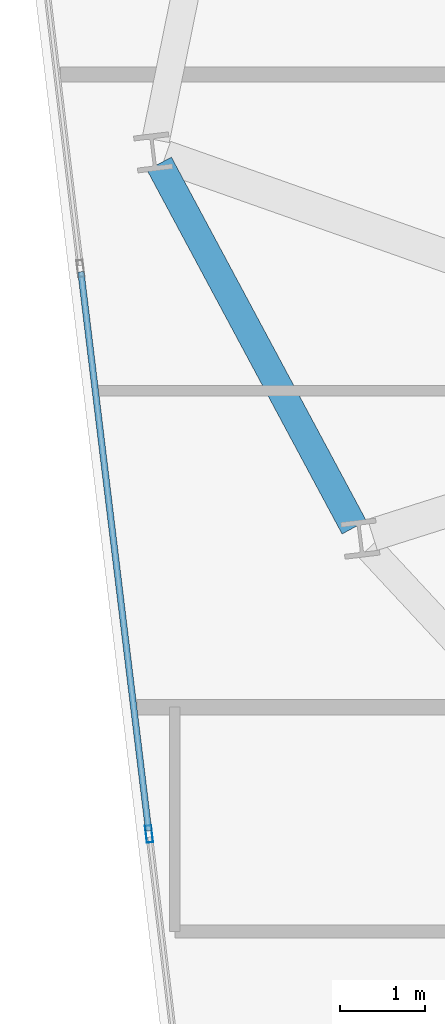
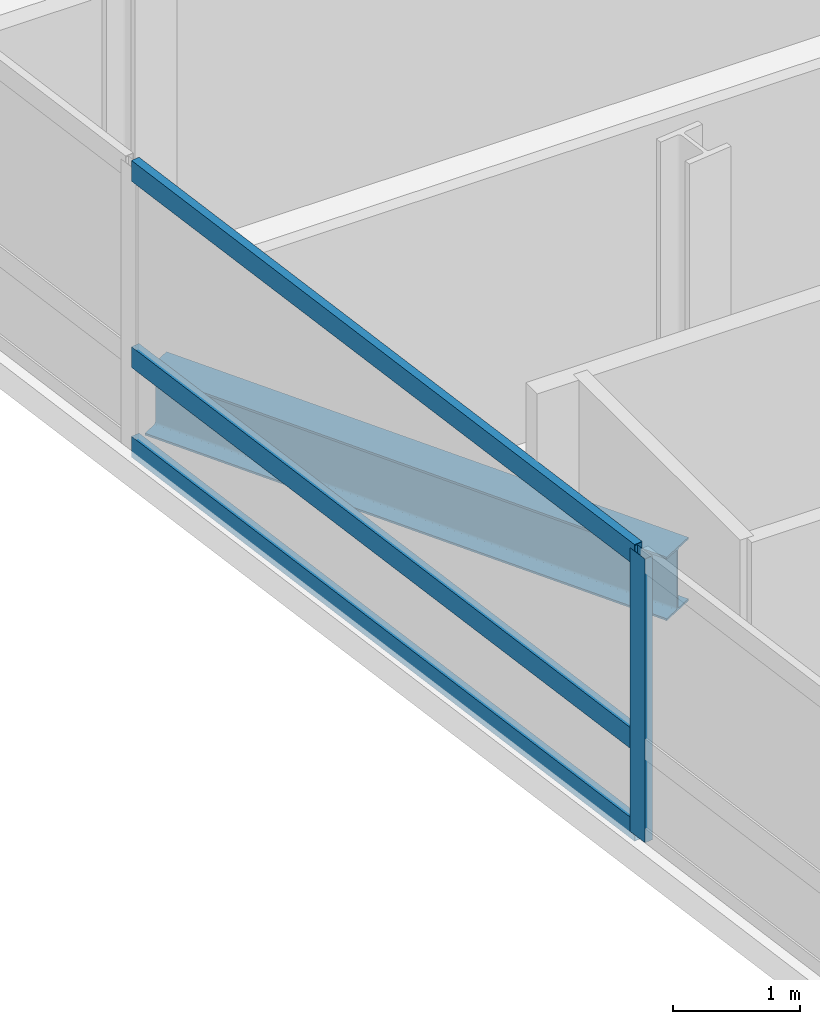
# One storey, part 4 of 22: 4 members, 1 beam, 1 element without a shape of its own.
"""IFC4 building model written with IfcOpenShell, lengths in metres."""

import ifcopenshell
import ifcopenshell.guid

model = None  # the IFC model being written
_history = None  # IfcOwnerHistory: only IFC2X3 demands one
_inside = {}  # id of a spatial element -> (the spatial element, [elements in it])
_under = {}  # id of a project, library or spatial element -> (it, [spatial elements below it])
_declared = {}  # id of a project -> (the project, [libraries it declares])
_typed = {}  # id of a type object -> (the type object, [elements of that type])
_made_of = {}  # id of a material, layer set ... -> (it, [elements and type objects made of it])


def new_model(schema):
    """Start an empty IFC model of exactly this schema.

    Asked for "IFC4X3", IfcOpenShell would pick the latest addendum, in which some entities
    have other attributes; the version numbers below select the first issue.
    IFC2X3 requires an IfcOwnerHistory on every rooted entity: one is made here for all.
    """
    global model, _history
    if schema == "IFC4X3":
        model = ifcopenshell.file(schema_version=(4, 3, 0, 0))
    else:
        model = ifcopenshell.file(schema=schema)
    _inside.clear()
    _under.clear()
    _declared.clear()
    _typed.clear()
    _made_of.clear()
    _history = None
    if model.schema == "IFC2X3":
        org = make("IfcOrganization", Name="unknown")
        user = make(
            "IfcPersonAndOrganization",
            ThePerson=make("IfcPerson", FamilyName="unknown"),
            TheOrganization=org,
        )
        app = make(
            "IfcApplication",
            ApplicationDeveloper=org,
            Version="unknown",
            ApplicationFullName="unknown",
            ApplicationIdentifier="unknown",
        )
        _history = make(
            "IfcOwnerHistory",
            OwningUser=user,
            OwningApplication=app,
            ChangeAction="ADDED",
            CreationDate=0,
        )
    return model


def make(cls, **values):
    """One entity of the class cls with the attributes given. An attribute that is None is left unset."""
    return model.create_entity(
        cls, **{name: value for name, value in values.items() if value is not None}
    )


def rooted(cls, **values):
    """An entity with a GlobalId (a new one), such as an element, a storey or a relation."""
    return make(cls, GlobalId=ifcopenshell.guid.new(), OwnerHistory=_history, **values)


def si_unit(unit_type, name, prefix=None):
    """IfcSIUnit, for example si_unit("LENGTHUNIT", "METRE", prefix="MILLI")."""
    return make("IfcSIUnit", UnitType=unit_type, Prefix=prefix, Name=name)


def assignment(units):
    """IfcUnitAssignment: the units of a project."""
    return None if units is None else make("IfcUnitAssignment", Units=units)


def point(xyz):
    """IfcCartesianPoint."""
    return None if xyz is None else make("IfcCartesianPoint", Coordinates=xyz)


def direction(xyz):
    """IfcDirection."""
    return None if xyz is None else make("IfcDirection", DirectionRatios=xyz)


def frame(location, z_axis=None, x_axis=None):
    """IfcAxis2Placement3D, a coordinate frame: its origin and axes. An axis left out is left unset."""
    return make(
        "IfcAxis2Placement3D",
        Location=point(location),
        Axis=direction(z_axis),
        RefDirection=direction(x_axis),
    )


def frame_2d(location, x_axis=None):
    """IfcAxis2Placement2D, a coordinate frame in the plane: its origin and x axis."""
    return make(
        "IfcAxis2Placement2D", Location=point(location), RefDirection=direction(x_axis)
    )


def origin():
    """The frame at (0, 0, 0) with its axes left unset."""
    return frame((0.0, 0.0, 0.0))


def origin_2d():
    """The frame at (0, 0) in the plane with its x axis left unset."""
    return frame_2d((0.0, 0.0))


def place(relative_to, where):
    """IfcLocalPlacement: puts the frame where relative to a parent placement (None: the world)."""
    return make(
        "IfcLocalPlacement", PlacementRelTo=relative_to, RelativePlacement=where
    )


def context(
    kind, dimensions, precision=None, world=None, true_north=None, identifier=None
):
    """IfcGeometricRepresentationContext, for example the 3D "Model" context."""
    return make(
        "IfcGeometricRepresentationContext",
        ContextIdentifier=identifier,
        ContextType=kind,
        CoordinateSpaceDimension=dimensions,
        Precision=precision,
        WorldCoordinateSystem=world,
        TrueNorth=true_north,
    )


def subcontext(parent, identifier, kind, view, scale=None):
    """IfcGeometricRepresentationSubContext, for example "Body" below "Model"."""
    return make(
        "IfcGeometricRepresentationSubContext",
        ContextIdentifier=identifier,
        ContextType=kind,
        ParentContext=parent,
        TargetScale=scale,
        TargetView=view,
    )


def project(units=None, contexts=None):
    """IfcProject with its units and contexts."""
    return rooted(
        "IfcProject",
        Name="project",
        RepresentationContexts=contexts,
        UnitsInContext=assignment(units),
    )


def spatial(cls, under=None, at=None, **own):
    """A site, building, storey or space (cls), placed at a placement, below another one or the project."""
    s = rooted(cls, ObjectPlacement=at, **own)
    if under is not None:
        _under.setdefault(under.id(), (under, []))[1].append(s)
    return s


def profile(cls, at=None, kind="AREA", **sizes):
    """A parametric profile (cls). Its sizes go by their IFC names, for example OverallWidth=200.0."""
    return make(cls, ProfileType=kind, Position=at, **sizes)


def hollow_rectangle(**sizes):
    """IfcRectangleHollowProfileDef."""
    return profile("IfcRectangleHollowProfileDef", **sizes)


def i_section(**sizes):
    """IfcIShapeProfileDef."""
    return profile("IfcIShapeProfileDef", **sizes)


def extrude(swept, where, along, depth):
    """IfcExtrudedAreaSolid: the profile swept, set in the frame where, extruded along a direction by depth."""
    return make(
        "IfcExtrudedAreaSolid",
        SweptArea=swept,
        Position=where,
        ExtrudedDirection=direction(along),
        Depth=depth,
    )


def shape(context_of_items, identifier, shape_type, items):
    """IfcShapeRepresentation: the items that make up one representation, for example the "Body"."""
    return make(
        "IfcShapeRepresentation",
        ContextOfItems=context_of_items,
        RepresentationIdentifier=identifier,
        RepresentationType=shape_type,
        Items=items,
    )


def material(Name=None, Category=None):
    """IfcMaterial."""
    return make("IfcMaterial", Name=Name, Category=Category)


def layer(
    of_material, thickness, ventilated=None, Name=None, Category=None, Priority=None
):
    """IfcMaterialLayer: one layer of a wall or slab, of a material (None: an air gap)."""
    return make(
        "IfcMaterialLayer",
        Material=of_material,
        LayerThickness=thickness,
        IsVentilated=ventilated,
        Name=Name,
        Category=Category,
        Priority=Priority,
    )


def layer_set(layers, Name=None):
    """IfcMaterialLayerSet."""
    return make("IfcMaterialLayerSet", MaterialLayers=layers, LayerSetName=Name)


def material_profile(
    of_material, cross_section, Name=None, Category=None, Priority=None
):
    """IfcMaterialProfile: a cross section and its material."""
    return make(
        "IfcMaterialProfile",
        Name=Name,
        Material=of_material,
        Profile=cross_section,
        Priority=Priority,
        Category=Category,
    )


def profile_set(profiles, Name=None, composite=None):
    """IfcMaterialProfileSet."""
    return make(
        "IfcMaterialProfileSet",
        Name=Name,
        MaterialProfiles=profiles,
        CompositeProfile=composite,
    )


def made_of(thing, what):
    """Note that an element or type object is made of a material, layer set ...; save() writes the relation."""
    if what is not None:
        _made_of.setdefault(what.id(), (what, []))[1].append(thing)
    return thing


def type_object(cls, material=None, **own):
    """A type object (cls), such as IfcWallType, which elements share."""
    return made_of(rooted(cls, **own), material)


def element(
    cls,
    number,
    at=None,
    inside=None,
    cuts=None,
    type_object=None,
    material=None,
    context=None,
    identifier="Body",
    shape_type=None,
    held_by="IfcProductDefinitionShape",
    body=None,
    shapes=None,
    **own,
):
    """One element of the class cls, such as IfcWall. Its Tag is "e" and its number.

    at: its placement. inside: the storey or other place that contains it. cuts: it is an
    opening in that element (IfcRelVoidsElement). A single representation is given by context,
    identifier, shape_type and body (its items); several are given by shapes. held_by: the class
    of the entity that holds the representations. save() writes the other relations.
    """
    e = rooted(cls, Tag="e%d" % number, ObjectPlacement=at, **own)
    if body is not None:
        shapes = [shape(context, identifier, shape_type, body)]
    if shapes is not None:
        e.Representation = make(held_by, Representations=shapes)
    if inside is not None:
        _inside.setdefault(inside.id(), (inside, []))[1].append(e)
    if cuts is not None:
        rooted(
            "IfcRelVoidsElement", RelatingBuildingElement=cuts, RelatedOpeningElement=e
        )
    if type_object is not None:
        _typed.setdefault(type_object.id(), (type_object, []))[1].append(e)
    return made_of(e, material)


def aggregate(whole, parts):
    """IfcRelAggregates: a whole, such as a stair, and the parts it consists of."""
    return rooted("IfcRelAggregates", RelatingObject=whole, RelatedObjects=parts)


def save(model, path):
    """Write the relations noted so far, then the file.

    IfcRelAggregates (storeys below a building ...), IfcRelContainedInSpatialStructure (elements
    in a storey), IfcRelDefinesByType, IfcRelAssociatesMaterial and IfcRelDeclares: one each for
    every whole, place, type object, material and project.
    """
    for whole, parts in _under.values():
        aggregate(whole, parts)
    for where, things in _inside.values():
        rooted(
            "IfcRelContainedInSpatialStructure",
            RelatedElements=things,
            RelatingStructure=where,
        )
    for kind, things in _typed.values():
        rooted("IfcRelDefinesByType", RelatedObjects=things, RelatingType=kind)
    for what, things in _made_of.values():
        rooted("IfcRelAssociatesMaterial", RelatedObjects=things, RelatingMaterial=what)
    for by, libraries in _declared.values():
        rooted("IfcRelDeclares", RelatingContext=by, RelatedDefinitions=libraries)
    model.write(path)


model = new_model("IFC4")

# Units and contexts
model_context = context("Model", 3, precision=1e-05, world=origin(), true_north=direction((0.0, 1.0)))
body_context = subcontext(model_context, "Body", "Model", "MODEL_VIEW")
ifc_project = project(units=[si_unit("LENGTHUNIT", "METRE"), si_unit("AREAUNIT", "SQUARE_METRE"), si_unit("VOLUMEUNIT", "CUBIC_METRE"), si_unit("PLANEANGLEUNIT", "RADIAN"), si_unit("MASSUNIT", "GRAM", prefix="KILO")], contexts=[model_context])

# Site, building, storey
site_placement = place(None, origin())
site = spatial("IfcSite", under=ifc_project, at=site_placement, CompositionType="ELEMENT")
building_placement = place(site_placement, origin())
building = spatial("IfcBuilding", under=site, at=building_placement, Name="Varnelok Gate Tower", CompositionType="ELEMENT")
storey_placement = place(building_placement, frame((0.0, 0.0, 185.699951171875)))
storey = spatial("IfcBuildingStorey", under=building, at=storey_placement, Name="L47", CompositionType="ELEMENT", Elevation=185.699951171875)

# Beam
ifc_material_1 = material(Name="Structural Steel ASTM A992 Grade 50", Category="steel")
ifc_material_profile_1 = material_profile(ifc_material_1, i_section(OverallWidth=0.323974609375, OverallDepth=0.611083984375, WebThickness=0.0126953125, FlangeThickness=0.01904296875, FilletRadius=0.01806640625, at=origin_2d()), Name="W24X104")
ifc_profile_set_1 = profile_set([ifc_material_profile_1], Name="Structural Steel ASTM A992 Grade 50")
beam_type = type_object("IfcBeamType", Name="BM-SPN-W24X104", PredefinedType="SPANDREL", material=ifc_profile_set_1)
beam_placement = place(storey_placement, frame((4.816650390625, 25.61474609375, -0.555419921875), z_axis=(0.472471917257, -0.881345725242, 0.0), x_axis=(0.881345725242, 0.472471917257, 0.0)))
element("IfcBeam", 1, at=beam_placement, inside=storey, type_object=beam_type, Name="L47 Perimeter Spandrel Beam 15", PredefinedType="SPANDREL", context=body_context, shape_type="SweptSolid", body=[
    extrude(i_section(OverallWidth=0.323974609375, OverallDepth=0.611083984375, WebThickness=0.0126953125, FlangeThickness=0.01904296875, FilletRadius=0.01806640625, at=origin_2d()), origin(), (0.0, 0.0, 1.0), 4.8408203125),
])

# Curtain wall, members
ifc_material_2 = material(Name="Anodized Aluminum Alloy 6063-T6", Category="aluminium")
ifc_layer = layer(ifc_material_2, 0.179931640625)
ifc_layer_set = layer_set([ifc_layer], Name="Anodized Aluminum Alloy 6063-T6")
curtain_wall_type = type_object("IfcCurtainWallType", Name="CW4-RESIDENCE-VISION", PredefinedType="USERDEFINED", material=ifc_layer_set)
curtain_wall_placement = place(storey_placement, origin())
curtain_wall = element("IfcCurtainWall", 2, at=curtain_wall_placement, inside=storey, type_object=curtain_wall_type, Name="L47 West End Vision Curtain Wall", ObjectType="UNITISED CURTAIN WALL", PredefinedType="USERDEFINED")
ifc_material_profile_2 = material_profile(ifc_material_2, hollow_rectangle(XDim=0.074951171875, YDim=0.199951171875, WallThickness=0.00390625, at=origin_2d()), Name="ALU200X75X4")
ifc_profile_set_2 = profile_set([ifc_material_profile_2], Name="Anodized Aluminum Alloy 6063-T6")
member_type_1 = type_object("IfcMemberType", Name="CW-MULL-200", PredefinedType="MULLION", material=ifc_profile_set_2)
member_1_placement = place(storey_placement, frame((4.697509765625, 17.7529296875, 0.0), z_axis=(0.0, 0.0, 1.0), x_axis=(-0.992732188751, -0.120344511371, 0.0)))
member_1 = element("IfcMember", 3, at=member_1_placement, type_object=member_type_1, Name="CW4 mullion 3", PredefinedType="MULLION", context=body_context, shape_type="SweptSolid", body=[
    extrude(hollow_rectangle(XDim=0.074951171875, YDim=0.199951171875, WallThickness=0.00390625, at=origin_2d()), origin(), (0.0, 0.0, 1.0), 2.72998046875),
])
ifc_material_profile_3 = material_profile(ifc_material_2, hollow_rectangle(XDim=0.074951171875, YDim=0.199951171875, WallThickness=0.00390625, at=origin_2d()), Name="ALU200X75X4")
ifc_profile_set_3 = profile_set([ifc_material_profile_3], Name="Anodized Aluminum Alloy 6063-T6")
member_type_2 = type_object("IfcMemberType", Name="CW-TRAN-200", PredefinedType="USERDEFINED", material=ifc_profile_set_3)
member_2_placement = place(storey_placement, frame((4.69287109375, 17.790283203125, 0.03759765625), z_axis=(-0.120317016873, 0.992735521401, 0.0), x_axis=(-0.992735521401, -0.120317016873, 0.0)))
member_2 = element("IfcMember", 4, at=member_2_placement, type_object=member_type_2, Name="CW4 transom 3.1", ObjectType="TRANSOM", PredefinedType="USERDEFINED", context=body_context, shape_type="SweptSolid", body=[
    extrude(hollow_rectangle(XDim=0.074951171875, YDim=0.199951171875, WallThickness=0.00390625, at=origin_2d()), origin(), (0.0, 0.0, 1.0), 6.60498046875),
])
member_3_placement = place(storey_placement, frame((4.69287109375, 17.790283203125, 0.900146484375), z_axis=(-0.120317016873, 0.992735521401, 0.0), x_axis=(-0.992735521401, -0.120317016873, 0.0)))
member_3 = element("IfcMember", 5, at=member_3_placement, type_object=member_type_2, Name="CW4 transom 3.2", ObjectType="TRANSOM", PredefinedType="USERDEFINED", context=body_context, shape_type="SweptSolid", body=[
    extrude(hollow_rectangle(XDim=0.074951171875, YDim=0.199951171875, WallThickness=0.00390625, at=origin_2d()), origin(), (0.0, 0.0, 1.0), 6.60498046875),
])
member_4_placement = place(storey_placement, frame((4.69287109375, 17.790283203125, 2.692626953125), z_axis=(-0.120317016873, 0.992735521401, 0.0), x_axis=(-0.992735521401, -0.120317016873, 0.0)))
member_4 = element("IfcMember", 6, at=member_4_placement, type_object=member_type_2, Name="CW4 transom 3.3", ObjectType="TRANSOM", PredefinedType="USERDEFINED", context=body_context, shape_type="SweptSolid", body=[
    extrude(hollow_rectangle(XDim=0.074951171875, YDim=0.199951171875, WallThickness=0.00390625, at=origin_2d()), origin(), (0.0, 0.0, 1.0), 6.60498046875),
])
aggregate(curtain_wall, [member_1, member_2, member_3, member_4])

save(model, "model.ifc")
